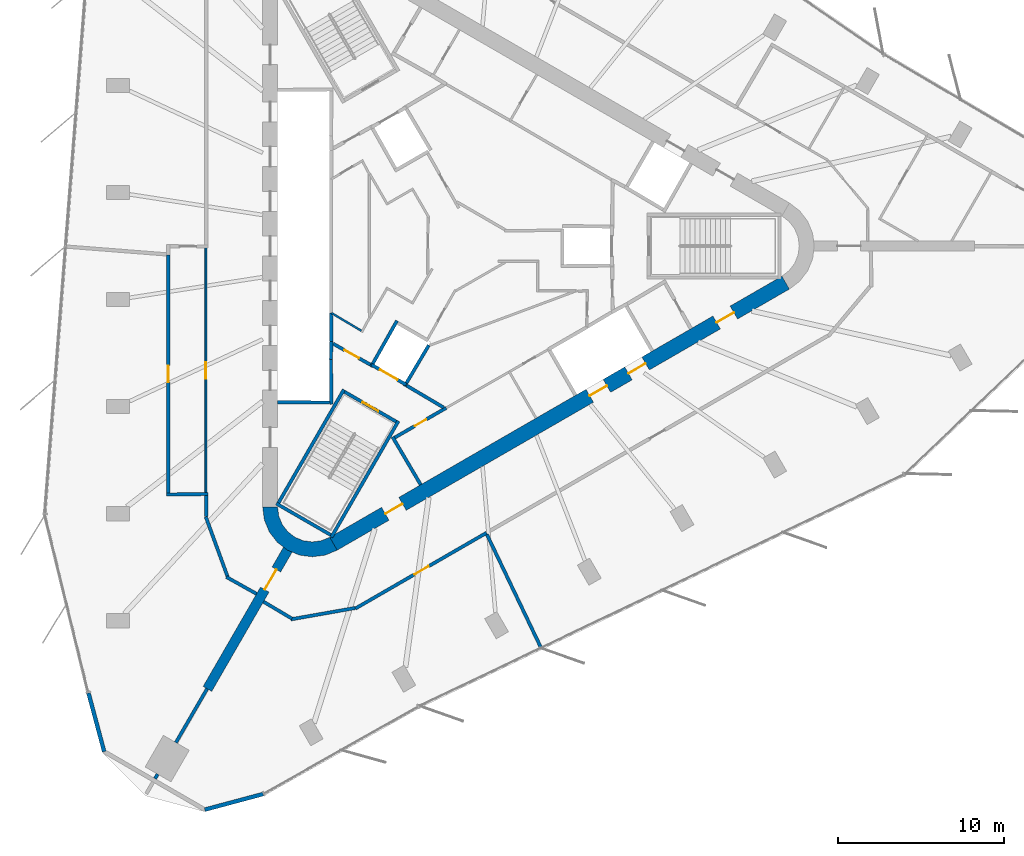
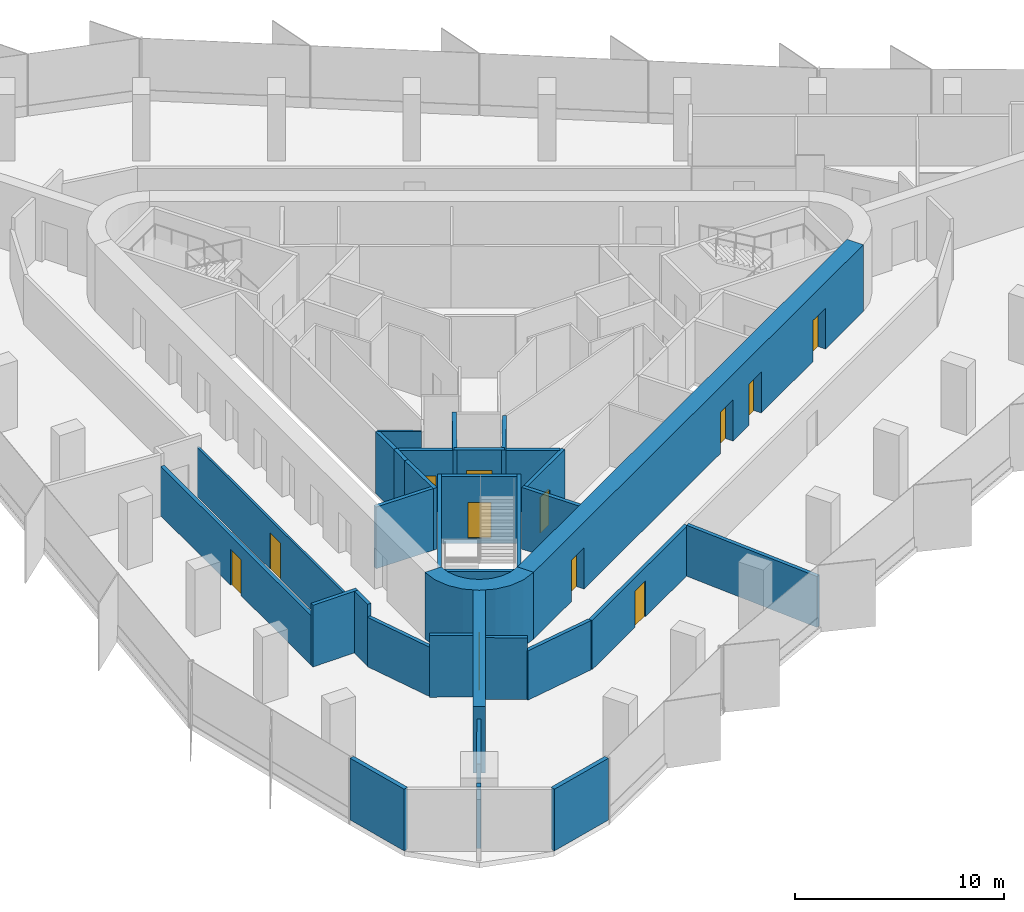
# One storey, part 8 of 14: 33 walls, 12 doors, 12 openings.
"""IFC4 building model written with IfcOpenShell, lengths in metres."""

from ifc_helpers import new_model, si_unit, direction, frame, frame_2d, origin, place, context, subcontext, project, spatial, polyline, rectangle, outline, extrude, material, layer, layer_set, type_object, element, fill, save


model = new_model("IFC4")

# Units and contexts
model_context = context("Model", 3, precision=1e-05, world=origin(), true_north=direction((0.0, 1.0)))
body_context = subcontext(model_context, "Body", "Model", "MODEL_VIEW")
ifc_project = project(units=[si_unit("LENGTHUNIT", "METRE"), si_unit("AREAUNIT", "SQUARE_METRE"), si_unit("VOLUMEUNIT", "CUBIC_METRE"), si_unit("PLANEANGLEUNIT", "RADIAN"), si_unit("MASSUNIT", "GRAM", prefix="KILO")], contexts=[model_context])

# Site, building, storey
site_placement = place(None, origin())
site = spatial("IfcSite", under=ifc_project, at=site_placement, CompositionType="ELEMENT")
building_placement = place(site_placement, origin())
building = spatial("IfcBuilding", under=site, at=building_placement, Name="Tanit Gate Tower", CompositionType="ELEMENT")
storey_placement = place(building_placement, frame((0.0, 0.0, 302.60009765625)))
storey = spatial("IfcBuildingStorey", under=building, at=storey_placement, Name="L67", CompositionType="ELEMENT", Elevation=302.60009765625)

# Wall, opening, door
ifc_material_1 = material(Name="Concrete C40/50", Category="concrete")
ifc_layer_1 = layer(ifc_material_1, 0.60009765625)
ifc_layer_set_1 = layer_set([ifc_layer_1], Name="BUTTRESS FIN 600 C40/50")
wall_type_1 = type_object("IfcWallType", Name="BUTTRESS FIN 600 C40/50", PredefinedType="SHEAR", material=ifc_layer_set_1)
wall_1_placement = place(storey_placement, frame((-10.574951171875, -18.31640625, 0.0), z_axis=(0.0, 0.0, 1.0), x_axis=(-0.499999297704, -0.866025809255, 0.0)))
wall_1 = element("IfcWall", 1, at=wall_1_placement, inside=storey, type_object=wall_type_1, Name="BUTTRESS FIN", PredefinedType="SHEAR", context=body_context, shape_type="SweptSolid", body=[
    extrude(rectangle(XDim=9.72021484375, YDim=0.60009765625, at=frame_2d((4.860107421875, 0.0))), origin(), (0.0, 0.0, 1.0), 3.89990234375),
])
opening_1_placement = place(wall_1_placement, frame((1.39990234375, 0.0, 0.0)))
opening_1 = element("IfcOpeningElement", 2, at=opening_1_placement, cuts=wall_1, Name="Opening P14-S18-F-SW-1", PredefinedType="OPENING", context=body_context, shape_type="SweptSolid", body=[
    extrude(rectangle(XDim=1.39990234375, YDim=2.39990234375, at=frame_2d((0.699951171875, 1.199951171875))), frame((0.0, 0.31005859375, 0.0), z_axis=(0.0, -1.0, 0.0), x_axis=(1.0, 0.0, 0.0)), (0.0, 0.0, 1.0), 0.6201171875),
])
ifc_material_2 = material(Name="Timber door leaf", Category="wood")
door_type_1 = type_object("IfcDoorType", Name="INT-DOOR-FIN-PAIR-1400", OperationType="NOTDEFINED", PredefinedType="NOTDEFINED", material=ifc_material_2)
door_1_placement = place(opening_1_placement, origin())
door_1 = element("IfcDoor", 3, at=door_1_placement, inside=storey, type_object=door_type_1, Name="Door P14-S18-F-SW-1", OperationType="DOUBLE_DOOR_SINGLE_SWING", OverallHeight=2.39990234375, OverallWidth=1.39990234375, PredefinedType="NOTDEFINED", context=body_context, shape_type="SweptSolid", body=[
    extrude(rectangle(XDim=1.39990234375, YDim=2.39990234375, at=frame_2d((0.699951171875, 1.199951171875))), frame((0.0, 0.02490234375, 0.0), z_axis=(0.0, -1.0, 0.0), x_axis=(1.0, 0.0, 0.0)), (0.0, 0.0, 1.0), 0.050048828125),
])
fill(opening_1, door_1)

# Wall, openings, doors
ifc_material_3 = material(Name="Concrete C40/50", Category="concrete")
ifc_layer_2 = layer(ifc_material_3, 0.89990234375)
ifc_layer_set_2 = layer_set([ifc_layer_2], Name="CORE WALL 900 C40/50")
wall_type_2 = type_object("IfcWallType", Name="CORE WALL 900 C40/50", PredefinedType="SHEAR", material=ifc_layer_set_2)
wall_2_placement = place(storey_placement, frame((-7.824951171875, -17.969970703125, 0.0), z_axis=(0.0, 0.0, 1.0), x_axis=(0.866028369851, 0.499994862586, 0.0)))
wall_2 = element("IfcWall", 4, at=wall_2_placement, inside=storey, type_object=wall_type_2, Name="CORE WALL", PredefinedType="SHEAR", context=body_context, shape_type="SweptSolid", body=[
    extrude(rectangle(XDim=31.523193359375, YDim=0.89990234375, at=frame_2d((15.76171875, 0.0))), origin(), (0.0, 0.0, 1.0), 3.89990234375),
])
opening_2_placement = place(wall_2_placement, frame((17.861572265625, 0.0, 0.0)))
opening_2 = element("IfcOpeningElement", 5, at=opening_2_placement, cuts=wall_2, Name="Opening LDSV1-S18", PredefinedType="OPENING", context=body_context, shape_type="SweptSolid", body=[
    extrude(rectangle(XDim=1.199951171875, YDim=2.39990234375, at=frame_2d((0.60009765625, 1.199951171875))), frame((0.0, 0.4599609375, 0.0), z_axis=(0.0, -1.0, 0.0), x_axis=(1.0, 0.0, 0.0)), (0.0, 0.0, 1.0), 0.919921875),
])
opening_3_placement = place(wall_2_placement, frame((20.561767578125, 0.0, 0.0)))
opening_3 = element("IfcOpeningElement", 6, at=opening_3_placement, cuts=wall_2, Name="Opening LDSV2-S18", PredefinedType="OPENING", context=body_context, shape_type="SweptSolid", body=[
    extrude(rectangle(XDim=1.199951171875, YDim=2.39990234375, at=frame_2d((0.60009765625, 1.199951171875))), frame((0.0, 0.4599609375, 0.0), z_axis=(0.0, -1.0, 0.0), x_axis=(1.0, 0.0, 0.0)), (0.0, 0.0, 1.0), 0.919921875),
])
opening_4_placement = place(wall_2_placement, frame((26.711669921875, 0.0, 0.0)))
opening_4 = element("IfcOpeningElement", 7, at=opening_4_placement, cuts=wall_2, Name="Opening F12-S18-S1", PredefinedType="OPENING", context=body_context, shape_type="SweptSolid", body=[
    extrude(rectangle(XDim=1.199951171875, YDim=2.39990234375, at=frame_2d((0.60009765625, 1.199951171875))), frame((0.0, 0.4599609375, 0.0), z_axis=(0.0, -1.0, 0.0), x_axis=(1.0, 0.0, 0.0)), (0.0, 0.0, 1.0), 0.919921875),
])
opening_5_placement = place(wall_2_placement, frame((3.611572265625, 0.0, 0.0)))
opening_5 = element("IfcOpeningElement", 8, at=opening_5_placement, cuts=wall_2, Name="Opening F12-S18-FL3", PredefinedType="OPENING", context=body_context, shape_type="SweptSolid", body=[
    extrude(rectangle(XDim=1.199951171875, YDim=2.39990234375, at=frame_2d((0.60009765625, 1.199951171875))), frame((0.0, 0.4599609375, 0.0), z_axis=(0.0, -1.0, 0.0), x_axis=(1.0, 0.0, 0.0)), (0.0, 0.0, 1.0), 0.919921875),
])
ifc_material_4 = material(Name="Fire-rated steel door leaf", Category="steel")
door_type_2 = type_object("IfcDoorType", Name="INT-DOOR-FIRE-LOBBY-1200", OperationType="NOTDEFINED", PredefinedType="USERDEFINED", material=ifc_material_4)
door_2_placement = place(opening_4_placement, origin())
door_2 = element("IfcDoor", 9, at=door_2_placement, inside=storey, type_object=door_type_2, Name="Door F12-S18-S1", ObjectType="FIRE DOOR", OperationType="SINGLE_SWING_LEFT", OverallHeight=2.39990234375, OverallWidth=1.199951171875, PredefinedType="USERDEFINED", context=body_context, shape_type="SweptSolid", body=[
    extrude(rectangle(XDim=1.199951171875, YDim=2.39990234375, at=frame_2d((0.60009765625, 1.199951171875))), frame((0.0, 0.02490234375, 0.0), z_axis=(0.0, -1.0, 0.0), x_axis=(1.0, 0.0, 0.0)), (0.0, 0.0, 1.0), 0.050048828125),
])
fill(opening_4, door_2)
door_3_placement = place(opening_5_placement, origin())
door_3 = element("IfcDoor", 10, at=door_3_placement, inside=storey, type_object=door_type_2, Name="Door F12-S18-FL3", ObjectType="FIRE DOOR", OperationType="SINGLE_SWING_LEFT", OverallHeight=2.39990234375, OverallWidth=1.199951171875, PredefinedType="USERDEFINED", context=body_context, shape_type="SweptSolid", body=[
    extrude(rectangle(XDim=1.199951171875, YDim=2.39990234375, at=frame_2d((0.60009765625, 1.199951171875))), frame((0.0, 0.02490234375, 0.0), z_axis=(0.0, -1.0, 0.0), x_axis=(1.0, 0.0, 0.0)), (0.0, 0.0, 1.0), 0.050048828125),
])
fill(opening_5, door_3)
ifc_material_5 = material(Name="Stainless steel sliding door leaf", Category="steel")
door_type_3 = type_object("IfcDoorType", Name="INT-DOOR-LANDING-1200", OperationType="NOTDEFINED", PredefinedType="USERDEFINED", material=ifc_material_5)
door_4_placement = place(opening_2_placement, origin())
door_4 = element("IfcDoor", 11, at=door_4_placement, inside=storey, type_object=door_type_3, Name="Door LDSV1-S18", ObjectType="LANDING DOOR", OperationType="SLIDING_TO_LEFT", OverallHeight=2.39990234375, OverallWidth=1.199951171875, PredefinedType="USERDEFINED", context=body_context, shape_type="SweptSolid", body=[
    extrude(rectangle(XDim=1.199951171875, YDim=2.39990234375, at=frame_2d((0.60009765625, 1.199951171875))), frame((0.0, 0.02490234375, 0.0), z_axis=(0.0, -1.0, 0.0), x_axis=(1.0, 0.0, 0.0)), (0.0, 0.0, 1.0), 0.050048828125),
])
fill(opening_2, door_4)
door_5_placement = place(opening_3_placement, origin())
door_5 = element("IfcDoor", 12, at=door_5_placement, inside=storey, type_object=door_type_3, Name="Door LDSV2-S18", ObjectType="LANDING DOOR", OperationType="SLIDING_TO_LEFT", OverallHeight=2.39990234375, OverallWidth=1.199951171875, PredefinedType="USERDEFINED", context=body_context, shape_type="SweptSolid", body=[
    extrude(rectangle(XDim=1.199951171875, YDim=2.39990234375, at=frame_2d((0.60009765625, 1.199951171875))), frame((0.0, 0.02490234375, 0.0), z_axis=(0.0, -1.0, 0.0), x_axis=(1.0, 0.0, 0.0)), (0.0, 0.0, 1.0), 0.050048828125),
])
fill(opening_3, door_5)

# Walls
wall_3_placement = place(storey_placement, origin())
element("IfcWall", 13, at=wall_3_placement, inside=storey, type_object=wall_type_2, Name="CORE WALL CORNER", PredefinedType="SHEAR", context=body_context, shape_type="SweptSolid", body=[
    extrude(outline(polyline([(-12.10009765625, -15.76171875), (-11.997802734375, -16.5380859375), (-11.697998046875, -17.26171875), (-11.22119140625, -17.883056640625), (-10.60009765625, -18.359619140625), (-9.87646484375, -18.659423828125), (-9.10009765625, -18.76171875), (-8.323486328125, -18.659423828125), (-7.60009765625, -18.359619140625), (-8.050048828125, -17.580322265625), (-8.556396484375, -17.7900390625), (-9.10009765625, -17.86181640625), (-9.6435546875, -17.7900390625), (-10.14990234375, -17.580322265625), (-10.5849609375, -17.24658203125), (-10.918701171875, -16.811767578125), (-11.12841796875, -16.30517578125), (-11.199951171875, -15.76171875), (-12.10009765625, -15.76171875)])), origin(), (0.0, 0.0, 1.0), 3.89990234375),
])
ifc_material_6 = material(Name="Concrete C30/37 with bronze anodised aluminium cladding", Category="concrete")
ifc_layer_3 = layer(ifc_material_6, 0.239990234375)
ifc_layer_set_3 = layer_set([ifc_layer_3], Name="Facade wall bronze clad 240")
wall_type_3 = type_object("IfcWallType", Name="Facade wall bronze clad 240", PredefinedType="SOLIDWALL", material=ifc_layer_set_3)
wall_4_placement = place(storey_placement, frame((-22.619140625, -26.98193359375, 0.0), z_axis=(0.0, 0.0, 1.0), x_axis=(0.258766072242, -0.965940018768, 0.0)))
element("IfcWall", 14, at=wall_4_placement, inside=storey, type_object=wall_type_3, Name="Bronze-clad facade wall L67 SW.arc1", PredefinedType="SOLIDWALL", context=body_context, shape_type="SweptSolid", body=[
    extrude(rectangle(XDim=3.66259765625, YDim=0.239990234375, at=frame_2d((1.831298828125, 0.0))), origin(), (0.0, 0.0, 1.0), 3.599853515625),
])
wall_5_placement = place(storey_placement, frame((-15.59521484375, -34.02783203125, 0.0), z_axis=(0.0, 0.0, 1.0), x_axis=(0.965927742293, 0.258811894374, 0.0)))
element("IfcWall", 15, at=wall_5_placement, inside=storey, type_object=wall_type_3, Name="Bronze-clad facade wall L67 SW.arc3", PredefinedType="SOLIDWALL", context=body_context, shape_type="SweptSolid", body=[
    extrude(rectangle(XDim=3.648681640625, YDim=0.239990234375, at=frame_2d((1.82421875, 0.0))), origin(), (0.0, 0.0, 1.0), 3.599853515625),
])
ifc_material_7 = material(Name="Fire-rated gypsum board partition")
ifc_layer_4 = layer(ifc_material_7, 0.199951171875)
ifc_layer_set_4 = layer_set([ifc_layer_4], Name="INT-WALL-COMPARTMENT")
wall_type_4 = type_object("IfcWallType", Name="INT-WALL-COMPARTMENT", PredefinedType="PARTITIONING", material=ifc_layer_set_4)
wall_6_placement = place(storey_placement, frame((-4.259765625, -11.523681640625, 0.0), z_axis=(0.0, 0.0, 1.0), x_axis=(0.507997497166, -0.861358544901, 0.0)))
element("IfcWall", 16, at=wall_6_placement, inside=storey, type_object=wall_type_4, Name="Wall Compartment W053", PredefinedType="PARTITIONING", context=body_context, shape_type="SweptSolid", body=[
    extrude(rectangle(XDim=3.350341796875, YDim=0.199951171875, at=frame_2d((1.67529296875, 0.0))), origin(), (0.0, 0.0, 1.0), 3.599853515625),
])

# Wall, opening, door
wall_7_placement = place(storey_placement, frame((-1.02392578125, -9.77099609375, 0.0), z_axis=(0.0, 0.0, 1.0), x_axis=(-0.866029903013, -0.499992207027, 0.0)))
wall_7 = element("IfcWall", 17, at=wall_7_placement, inside=storey, type_object=wall_type_4, Name="Wall Compartment W054", PredefinedType="PARTITIONING", context=body_context, shape_type="SweptSolid", body=[
    extrude(rectangle(XDim=3.57763671875, YDim=0.199951171875, at=frame_2d((1.788818359375, 0.0))), origin(), (0.0, 0.0, 1.0), 3.599853515625),
])
opening_6_placement = place(wall_7_placement, frame((1.388916015625, 0.0, 0.0)))
opening_6 = element("IfcOpeningElement", 18, at=opening_6_placement, cuts=wall_7, Name="Opening R08-S18-18", PredefinedType="OPENING", context=body_context, shape_type="SweptSolid", body=[
    extrude(rectangle(XDim=0.800048828125, YDim=2.10009765625, at=frame_2d((0.39990234375, 1.050048828125))), frame((0.0, 0.10986328125, 0.0), z_axis=(0.0, -1.0, 0.0), x_axis=(1.0, 0.0, 0.0)), (0.0, 0.0, 1.0), 0.219970703125),
])
ifc_material_8 = material(Name="Timber door leaf", Category="wood")
door_type_4 = type_object("IfcDoorType", Name="INT-DOOR-RISER-800", OperationType="NOTDEFINED", PredefinedType="USERDEFINED", material=ifc_material_8)
door_6_placement = place(opening_6_placement, origin())
door_6 = element("IfcDoor", 19, at=door_6_placement, inside=storey, type_object=door_type_4, Name="Door R08-S18-18", ObjectType="FIRE DOOR", OperationType="SINGLE_SWING_LEFT", OverallHeight=2.10009765625, OverallWidth=0.800048828125, PredefinedType="USERDEFINED", context=body_context, shape_type="SweptSolid", body=[
    extrude(rectangle(XDim=0.800048828125, YDim=2.10009765625, at=frame_2d((0.39990234375, 1.050048828125))), frame((0.0, 0.02490234375, 0.0), z_axis=(0.0, -1.0, 0.0), x_axis=(1.0, 0.0, 0.0)), (0.0, 0.0, 1.0), 0.050048828125),
])
fill(opening_6, door_6)

# Wall
wall_8_placement = place(storey_placement, frame((-3.400634765625, -8.43017578125, 0.0), z_axis=(0.0, 0.0, 1.0), x_axis=(0.860630814782, -0.509229418482, 0.0)))
element("IfcWall", 20, at=wall_8_placement, inside=storey, type_object=wall_type_4, Name="Wall Compartment W063", PredefinedType="PARTITIONING", context=body_context, shape_type="SweptSolid", body=[
    extrude(rectangle(XDim=2.581787109375, YDim=0.199951171875, at=frame_2d((1.291015625, 0.0))), origin(), (0.0, 0.0, 1.0), 3.599853515625),
])

# Wall, opening, door
wall_9_placement = place(storey_placement, frame((-7.849365234375, -5.893798828125, 0.0), z_axis=(0.0, 0.0, 1.0), x_axis=(0.871363259478, -0.490638431059, 0.0)))
wall_9 = element("IfcWall", 21, at=wall_9_placement, inside=storey, type_object=wall_type_4, Name="Wall Compartment W064", PredefinedType="PARTITIONING", context=body_context, shape_type="SweptSolid", body=[
    extrude(rectangle(XDim=2.5810546875, YDim=0.199951171875, at=frame_2d((1.29052734375, 0.0))), origin(), (0.0, 0.0, 1.0), 3.599853515625),
])
opening_7_placement = place(wall_9_placement, frame((0.79052734375, 0.0, 0.0)))
opening_7 = element("IfcOpeningElement", 22, at=opening_7_placement, cuts=wall_9, Name="Opening F10-S18-08", PredefinedType="OPENING", context=body_context, shape_type="SweptSolid", body=[
    extrude(rectangle(XDim=1.0, YDim=2.10009765625, at=frame_2d((0.5, 1.050048828125))), frame((0.0, 0.10986328125, 0.0), z_axis=(0.0, -1.0, 0.0), x_axis=(1.0, 0.0, 0.0)), (0.0, 0.0, 1.0), 0.219970703125),
])
ifc_material_9 = material(Name="Fire-rated steel door leaf", Category="steel")
door_type_5 = type_object("IfcDoorType", Name="INT-DOOR-FIRE-1000", OperationType="NOTDEFINED", PredefinedType="USERDEFINED", material=ifc_material_9)
door_7_placement = place(opening_7_placement, origin())
door_7 = element("IfcDoor", 23, at=door_7_placement, inside=storey, type_object=door_type_5, Name="Door F10-S18-08", ObjectType="FIRE DOOR", OperationType="SINGLE_SWING_LEFT", OverallHeight=2.10009765625, OverallWidth=1.0, PredefinedType="USERDEFINED", context=body_context, shape_type="SweptSolid", body=[
    extrude(rectangle(XDim=1.0, YDim=2.10009765625, at=frame_2d((0.5, 1.050048828125))), frame((0.0, 0.02490234375, 0.0), z_axis=(0.0, -1.0, 0.0), x_axis=(1.0, 0.0, 0.0)), (0.0, 0.0, 1.0), 0.050048828125),
])
fill(opening_7, door_7)

# Wall
wall_10_placement = place(storey_placement, frame((-17.89990234375, -15.001220703125, 0.0), z_axis=(0.0, 0.0, 1.0), x_axis=(0.999915662945, 0.012987185857, 0.0)))
element("IfcWall", 24, at=wall_10_placement, inside=storey, type_object=wall_type_4, Name="Wall Compartment W089", PredefinedType="PARTITIONING", context=body_context, shape_type="SweptSolid", body=[
    extrude(rectangle(XDim=2.500244140625, YDim=0.199951171875, at=frame_2d((1.25, 0.0))), origin(), (0.0, 0.0, 1.0), 3.599853515625),
])

# Wall, opening, door
wall_11_placement = place(storey_placement, frame((-17.800048828125, -0.534912109375, 0.0), z_axis=(0.0, 0.0, 1.0), x_axis=(0.0, -1.0, 0.0)))
wall_11 = element("IfcWall", 25, at=wall_11_placement, inside=storey, type_object=wall_type_4, Name="Wall Compartment W090", PredefinedType="PARTITIONING", context=body_context, shape_type="SweptSolid", body=[
    extrude(rectangle(XDim=14.364990234375, YDim=0.199951171875, at=frame_2d((7.1826171875, 0.0))), origin(), (0.0, 0.0, 1.0), 2.8798828125),
])
opening_8_placement = place(wall_11_placement, frame((6.6826171875, 0.0, 0.0)))
opening_8 = element("IfcOpeningElement", 26, at=opening_8_placement, cuts=wall_11, Name="Opening F10-S18-26", PredefinedType="OPENING", context=body_context, shape_type="SweptSolid", body=[
    extrude(rectangle(XDim=1.0, YDim=2.10009765625, at=frame_2d((0.5, 1.050048828125))), frame((0.0, 0.10986328125, 0.0), z_axis=(0.0, -1.0, 0.0), x_axis=(1.0, 0.0, 0.0)), (0.0, 0.0, 1.0), 0.219970703125),
])
door_8_placement = place(opening_8_placement, origin())
door_8 = element("IfcDoor", 27, at=door_8_placement, inside=storey, type_object=door_type_5, Name="Door F10-S18-26", ObjectType="FIRE DOOR", OperationType="SINGLE_SWING_RIGHT", OverallHeight=2.10009765625, OverallWidth=1.0, PredefinedType="USERDEFINED", context=body_context, shape_type="SweptSolid", body=[
    extrude(rectangle(XDim=1.0, YDim=2.10009765625, at=frame_2d((0.5, 1.050048828125))), frame((0.0, 0.02490234375, 0.0), z_axis=(0.0, -1.0, 0.0), x_axis=(1.0, 0.0, 0.0)), (0.0, 0.0, 1.0), 0.050048828125),
])
fill(opening_8, door_8)

# Walls
wall_12_placement = place(storey_placement, frame((-14.293212890625, -19.9775390625, 0.0), z_axis=(0.0, 0.0, 1.0), x_axis=(0.872510000486, -0.48859625362, 0.0)))
element("IfcWall", 28, at=wall_12_placement, inside=storey, type_object=wall_type_4, Name="Wall Compartment W093", PredefinedType="PARTITIONING", context=body_context, shape_type="SweptSolid", body=[
    extrude(rectangle(XDim=2.089599609375, YDim=0.199951171875, at=frame_2d((1.044921875, 0.0))), origin(), (0.0, 0.0, 1.0), 3.599853515625),
])
wall_13_placement = place(storey_placement, frame((-15.5341796875, -16.346435546875, 0.0), z_axis=(0.0, 0.0, 1.0), x_axis=(0.342001008711, -0.939699584996, 0.0)))
element("IfcWall", 29, at=wall_13_placement, inside=storey, type_object=wall_type_4, Name="Wall Compartment W094", PredefinedType="PARTITIONING", context=body_context, shape_type="SweptSolid", body=[
    extrude(rectangle(XDim=3.87548828125, YDim=0.199951171875, at=frame_2d((1.937744140625, 0.0))), origin(), (0.0, 0.0, 1.0), 2.8798828125),
])
wall_14_placement = place(storey_placement, frame((-15.5, -15.070068359375, 0.0), z_axis=(0.0, 0.0, 1.0), x_axis=(0.0, -1.0, 0.0)))
element("IfcWall", 30, at=wall_14_placement, inside=storey, type_object=wall_type_4, Name="Wall Compartment W095", PredefinedType="PARTITIONING", context=body_context, shape_type="SweptSolid", body=[
    extrude(rectangle(XDim=1.2705078125, YDim=0.199951171875, at=frame_2d((0.63525390625, 0.0))), origin(), (0.0, 0.0, 1.0), 3.599853515625),
])

# Wall, opening, door
wall_15_placement = place(storey_placement, frame((-6.505126953125, -21.884521484375, 0.0), z_axis=(0.0, 0.0, 1.0), x_axis=(0.866029997737, 0.499992042957, 0.0)))
wall_15 = element("IfcWall", 31, at=wall_15_placement, inside=storey, type_object=wall_type_4, Name="Wall Compartment W109", PredefinedType="PARTITIONING", context=body_context, shape_type="SweptSolid", body=[
    extrude(rectangle(XDim=9.145751953125, YDim=0.199951171875, at=frame_2d((4.57275390625, 0.0))), origin(), (0.0, 0.0, 1.0), 2.8798828125),
])
opening_9_placement = place(wall_15_placement, frame((4.11083984375, 0.0, 0.0)))
opening_9 = element("IfcOpeningElement", 32, at=opening_9_placement, cuts=wall_15, Name="Opening F10-S18-30", PredefinedType="OPENING", context=body_context, shape_type="SweptSolid", body=[
    extrude(rectangle(XDim=1.0, YDim=2.10009765625, at=frame_2d((0.5, 1.050048828125))), frame((0.0, 0.10986328125, 0.0), z_axis=(0.0, -1.0, 0.0), x_axis=(1.0, 0.0, 0.0)), (0.0, 0.0, 1.0), 0.219970703125),
])
door_9_placement = place(opening_9_placement, origin())
door_9 = element("IfcDoor", 33, at=door_9_placement, inside=storey, type_object=door_type_5, Name="Door F10-S18-30", ObjectType="FIRE DOOR", OperationType="SINGLE_SWING_LEFT", OverallHeight=2.10009765625, OverallWidth=1.0, PredefinedType="USERDEFINED", context=body_context, shape_type="SweptSolid", body=[
    extrude(rectangle(XDim=1.0, YDim=2.10009765625, at=frame_2d((0.5, 1.050048828125))), frame((0.0, 0.02490234375, 0.0), z_axis=(0.0, -1.0, 0.0), x_axis=(1.0, 0.0, 0.0)), (0.0, 0.0, 1.0), 0.050048828125),
])
fill(opening_9, door_9)

# Walls
wall_16_placement = place(storey_placement, frame((-10.405517578125, -22.53759765625, 0.0), z_axis=(0.0, 0.0, 1.0), x_axis=(0.98480284819, 0.173675991999, 0.0)))
element("IfcWall", 34, at=wall_16_placement, inside=storey, type_object=wall_type_4, Name="Wall Compartment W110", PredefinedType="PARTITIONING", context=body_context, shape_type="SweptSolid", body=[
    extrude(rectangle(XDim=3.94873046875, YDim=0.199951171875, at=frame_2d((1.974365234375, 0.0))), origin(), (0.0, 0.0, 1.0), 2.8798828125),
])
wall_17_placement = place(storey_placement, frame((-12.05029296875, -21.4716796875, 0.0), z_axis=(0.0, 0.0, 1.0), x_axis=(0.859577966481, -0.511004617924, 0.0)))
element("IfcWall", 35, at=wall_17_placement, inside=storey, type_object=wall_type_4, Name="Wall Compartment W111", PredefinedType="PARTITIONING", context=body_context, shape_type="SweptSolid", body=[
    extrude(rectangle(XDim=1.99755859375, YDim=0.199951171875, at=frame_2d((0.998779296875, 0.0))), origin(), (0.0, 0.0, 1.0), 3.599853515625),
])
wall_18_placement = place(storey_placement, frame((-18.599365234375, -32.15478515625, 0.0), z_axis=(0.0, 0.0, 1.0), x_axis=(0.500213193091, 0.865902281703, 0.0)))
element("IfcWall", 36, at=wall_18_placement, inside=storey, type_object=wall_type_4, Name="Wall Compartment W113x1", PredefinedType="PARTITIONING", context=body_context, shape_type="SweptSolid", body=[
    extrude(rectangle(XDim=0.315673828125, YDim=0.199951171875, at=frame_2d((0.15771484375, 0.0))), origin(), (0.0, 0.0, 1.0), 3.599853515625),
])
wall_19_placement = place(storey_placement, frame((-17.34130859375, -29.97607421875, 0.0), z_axis=(0.0, 0.0, 1.0), x_axis=(0.50255049681, 0.864547857644, 0.0)))
element("IfcWall", 37, at=wall_19_placement, inside=storey, type_object=wall_type_4, Name="Wall Compartment W114", PredefinedType="PARTITIONING", context=body_context, shape_type="SweptSolid", body=[
    extrude(rectangle(XDim=3.760498046875, YDim=0.199951171875, at=frame_2d((1.88037109375, 0.0))), origin(), (0.0, 0.0, 1.0), 3.169921875),
])
wall_20_placement = place(storey_placement, frame((1.437744140625, -17.4140625, 0.0), z_axis=(0.0, 0.0, 1.0), x_axis=(0.431072758101, -0.902317171079, 0.0)))
element("IfcWall", 38, at=wall_20_placement, inside=storey, type_object=wall_type_4, Name="Wall Compartment W124", PredefinedType="PARTITIONING", context=body_context, shape_type="SweptSolid", body=[
    extrude(rectangle(XDim=7.584716796875, YDim=0.199951171875, at=frame_2d((3.79248046875, 0.0))), origin(), (0.0, 0.0, 1.0), 2.969970703125),
])
ifc_material_10 = material(Name="Gypsum board partition")
ifc_layer_5 = layer(ifc_material_10, 0.1201171875)
ifc_layer_set_5 = layer_set([ifc_layer_5], Name="INT-WALL-PARTITION")
wall_type_5 = type_object("IfcWallType", Name="INT-WALL-PARTITION", PredefinedType="PARTITIONING", material=ifc_layer_set_5)
wall_21_placement = place(storey_placement, frame((-7.949951171875, -4.041015625, 0.0), z_axis=(0.0, 0.0, 1.0), x_axis=(0.860112457103, -0.510104461004, 0.0)))
element("IfcWall", 39, at=wall_21_placement, inside=storey, type_object=wall_type_5, Name="Wall Partition W078", PredefinedType="PARTITIONING", context=body_context, shape_type="SweptSolid", body=[
    extrude(rectangle(XDim=2.1044921875, YDim=0.1201171875, at=frame_2d((1.05224609375, 0.0))), origin(), (0.0, 0.0, 1.0), 3.599853515625),
])

# Wall, opening, door
wall_22_placement = place(storey_placement, frame((-15.530029296875, 0.0, 0.0), z_axis=(0.0, 0.0, 1.0), x_axis=(0.0, -1.0, 0.0)))
wall_22 = element("IfcWall", 40, at=wall_22_placement, inside=storey, type_object=wall_type_5, Name="Wall Partition W088", PredefinedType="PARTITIONING", context=body_context, shape_type="SweptSolid", body=[
    extrude(rectangle(XDim=15.0, YDim=0.1201171875, at=frame_2d((7.5, 0.0))), origin(), (0.0, 0.0, 1.0), 2.8798828125),
])
opening_10_placement = place(wall_22_placement, frame((7.0, 0.0, 0.0)))
opening_10 = element("IfcOpeningElement", 41, at=opening_10_placement, cuts=wall_22, Name="Opening D10-S18-21", PredefinedType="OPENING", context=body_context, shape_type="SweptSolid", body=[
    extrude(rectangle(XDim=1.0, YDim=2.10009765625, at=frame_2d((0.5, 1.050048828125))), frame((0.0, 0.070068359375, 0.0), z_axis=(0.0, -1.0, 0.0), x_axis=(1.0, 0.0, 0.0)), (0.0, 0.0, 1.0), 0.14013671875),
])
ifc_material_11 = material(Name="Timber door leaf", Category="wood")
door_type_6 = type_object("IfcDoorType", Name="INT-DOOR-SINGLE-1000", OperationType="NOTDEFINED", PredefinedType="NOTDEFINED", material=ifc_material_11)
door_10_placement = place(opening_10_placement, origin())
door_10 = element("IfcDoor", 42, at=door_10_placement, inside=storey, type_object=door_type_6, Name="Door D10-S18-21", OperationType="SINGLE_SWING_LEFT", OverallHeight=2.10009765625, OverallWidth=1.0, PredefinedType="NOTDEFINED", context=body_context, shape_type="SweptSolid", body=[
    extrude(rectangle(XDim=1.0, YDim=2.10009765625, at=frame_2d((0.5, 1.050048828125))), frame((0.0, 0.02490234375, 0.0), z_axis=(0.0, -1.0, 0.0), x_axis=(1.0, 0.0, 0.0)), (0.0, 0.0, 1.0), 0.050048828125),
])
fill(opening_10, door_10)

# Walls
ifc_material_12 = material(Name="Gypsum shaft wall system")
ifc_layer_6 = layer(ifc_material_12, 0.199951171875)
ifc_layer_set_6 = layer_set([ifc_layer_6], Name="INT-WALL-SHAFT")
wall_type_6 = type_object("IfcWallType", Name="INT-WALL-SHAFT", PredefinedType="PLUMBINGWALL", material=ifc_layer_set_6)
wall_23_placement = place(storey_placement, frame((-7.949951171875, -5.7724609375, 0.0), z_axis=(0.0, 0.0, 1.0), x_axis=(-0.030803413295, -0.999525462272, 0.0)))
element("IfcWall", 43, at=wall_23_placement, inside=storey, type_object=wall_type_6, Name="Wall Shaft W008", PredefinedType="PLUMBINGWALL", context=body_context, shape_type="SweptSolid", body=[
    extrude(rectangle(XDim=1.077880859375, YDim=0.199951171875, at=frame_2d((0.5390625, 0.0))), origin(), (0.0, 0.0, 1.0), 3.599853515625),
])
wall_24_placement = place(storey_placement, frame((-7.971435546875, -4.050048828125, 0.0), z_axis=(0.0, 0.0, 1.0), x_axis=(0.012042535896, -0.999927486035, 0.0)))
element("IfcWall", 44, at=wall_24_placement, inside=storey, type_object=wall_type_6, Name="Wall Shaft W009", PredefinedType="PLUMBINGWALL", context=body_context, shape_type="SweptSolid", body=[
    extrude(rectangle(XDim=1.844970703125, YDim=0.199951171875, at=frame_2d((0.92236328125, 0.0))), origin(), (0.0, 0.0, 1.0), 3.599853515625),
])
wall_25_placement = place(storey_placement, frame((-7.97900390625, -6.85009765625, 0.0), z_axis=(0.0, 0.0, 1.0), x_axis=(0.011121475088, -0.999938154483, 0.0)))
element("IfcWall", 45, at=wall_25_placement, inside=storey, type_object=wall_type_6, Name="Wall Shaft W010", PredefinedType="PLUMBINGWALL", context=body_context, shape_type="SweptSolid", body=[
    extrude(rectangle(XDim=2.7001953125, YDim=0.199951171875, at=frame_2d((1.35009765625, 0.0))), origin(), (0.0, 0.0, 1.0), 3.599853515625),
])
wall_26_placement = place(storey_placement, frame((-8.050048828125, -9.448974609375, 0.0), z_axis=(0.0, 0.0, 1.0), x_axis=(-0.999957467379, 0.009222983926, 0.0)))
element("IfcWall", 46, at=wall_26_placement, inside=storey, type_object=wall_type_6, Name="Wall Shaft W011", PredefinedType="PLUMBINGWALL", context=body_context, shape_type="SweptSolid", body=[
    extrude(rectangle(XDim=3.150146484375, YDim=0.199951171875, at=frame_2d((1.5751953125, 0.0))), origin(), (0.0, 0.0, 1.0), 3.599853515625),
])

# Wall, opening, door
wall_27_placement = place(storey_placement, frame((-3.44580078125, -8.3681640625, 0.0), z_axis=(0.0, 0.0, 1.0), x_axis=(-0.866024647952, 0.500001309137, 0.0)))
wall_27 = element("IfcWall", 47, at=wall_27_placement, inside=storey, type_object=wall_type_6, Name="Wall Shaft W040", PredefinedType="PLUMBINGWALL", context=body_context, shape_type="SweptSolid", body=[
    extrude(rectangle(XDim=2.39990234375, YDim=0.199951171875, at=frame_2d((1.199951171875, 0.0))), origin(), (0.0, 0.0, 1.0), 3.599853515625),
])
opening_11_placement = place(wall_27_placement, frame((0.60009765625, 0.0, 0.0)))
opening_11 = element("IfcOpeningElement", 48, at=opening_11_placement, cuts=wall_27, Name="Opening LDFL3-L67", PredefinedType="OPENING", context=body_context, shape_type="SweptSolid", body=[
    extrude(rectangle(XDim=1.199951171875, YDim=2.39990234375, at=frame_2d((0.60009765625, 1.199951171875))), frame((0.0, 0.10986328125, 0.0), z_axis=(0.0, -1.0, 0.0), x_axis=(1.0, 0.0, 0.0)), (0.0, 0.0, 1.0), 0.219970703125),
])
door_11_placement = place(opening_11_placement, origin())
door_11 = element("IfcDoor", 49, at=door_11_placement, inside=storey, type_object=door_type_3, Name="Door LDFL3-L67", ObjectType="LANDING DOOR", OperationType="SLIDING_TO_LEFT", OverallHeight=2.39990234375, OverallWidth=1.199951171875, PredefinedType="USERDEFINED", context=body_context, shape_type="SweptSolid", body=[
    extrude(rectangle(XDim=1.199951171875, YDim=2.39990234375, at=frame_2d((0.60009765625, 1.199951171875))), frame((0.0, 0.02490234375, 0.0), z_axis=(0.0, -1.0, 0.0), x_axis=(1.0, 0.0, 0.0)), (0.0, 0.0, 1.0), 0.050048828125),
])
fill(opening_11, door_11)

# Walls
wall_28_placement = place(storey_placement, frame((-2.070068359375, -5.985595703125, 0.0), z_axis=(0.0, 0.0, 1.0), x_axis=(-0.509302965445, -0.8605872933, 0.0)))
element("IfcWall", 50, at=wall_28_placement, inside=storey, type_object=wall_type_6, Name="Wall Shaft W041", PredefinedType="PLUMBINGWALL", context=body_context, shape_type="SweptSolid", body=[
    extrude(rectangle(XDim=2.88134765625, YDim=0.199951171875, at=frame_2d((1.440673828125, 0.0))), origin(), (0.0, 0.0, 1.0), 3.599853515625),
])
wall_29_placement = place(storey_placement, frame((-3.989990234375, -4.509033203125, 0.0), z_axis=(0.0, 0.0, 1.0), x_axis=(-0.491358283181, -0.870957540612, 0.0)))
element("IfcWall", 51, at=wall_29_placement, inside=storey, type_object=wall_type_6, Name="Wall Shaft W042", PredefinedType="PLUMBINGWALL", context=body_context, shape_type="SweptSolid", body=[
    extrude(rectangle(XDim=3.200439453125, YDim=0.199951171875, at=frame_2d((1.60009765625, 0.0))), origin(), (0.0, 0.0, 1.0), 3.599853515625),
])
ifc_material_13 = material(Name="Concrete C40/50", Category="concrete")
ifc_layer_7 = layer(ifc_material_13, 0.199951171875)
ifc_layer_set_7 = layer_set([ifc_layer_7], Name="INT-WALL-STAIR")
wall_type_7 = type_object("IfcWallType", Name="INT-WALL-STAIR", PredefinedType="SHEAR", material=ifc_layer_set_7)
wall_30_placement = place(storey_placement, frame((-3.904541015625, -10.56298828125, -0.300048828125), z_axis=(0.0, 0.0, 1.0), x_axis=(-0.500012932018, -0.866017937352, 0.0)))
element("IfcWall", 52, at=wall_30_placement, inside=storey, type_object=wall_type_7, Name="Wall Stair W036", PredefinedType="SHEAR", context=body_context, shape_type="SweptSolid", body=[
    extrude(rectangle(XDim=8.099853515625, YDim=0.199951171875, at=frame_2d((4.0498046875, 0.0))), origin(), (0.0, 0.0, 1.0), 3.89990234375),
])
wall_31_placement = place(storey_placement, frame((-11.281982421875, -15.541015625, -0.300048828125), z_axis=(0.0, 0.0, 1.0), x_axis=(0.866000483506, -0.500043160704, 0.0)))
element("IfcWall", 53, at=wall_31_placement, inside=storey, type_object=wall_type_7, Name="Wall Stair W037", PredefinedType="SHEAR", context=body_context, shape_type="SweptSolid", body=[
    extrude(rectangle(XDim=3.800048828125, YDim=0.199951171875, at=frame_2d((1.89990234375, 0.0))), origin(), (0.0, 0.0, 1.0), 3.89990234375),
])
wall_32_placement = place(storey_placement, frame((-7.195556640625, -8.662841796875, -0.300048828125), z_axis=(0.0, 0.0, 1.0), x_axis=(-0.499997992926, -0.866026562566, 0.0)))
element("IfcWall", 54, at=wall_32_placement, inside=storey, type_object=wall_type_7, Name="Wall Stair W038", PredefinedType="SHEAR", context=body_context, shape_type="SweptSolid", body=[
    extrude(rectangle(XDim=7.89990234375, YDim=0.199951171875, at=frame_2d((3.949951171875, 0.0))), origin(), (0.0, 0.0, 1.0), 3.89990234375),
])

# Wall, opening, door
wall_33_placement = place(storey_placement, frame((-4.041259765625, -10.599365234375, -0.300048828125), z_axis=(0.0, 0.0, 1.0), x_axis=(-0.866047807691, 0.499961193289, 0.0)))
wall_33 = element("IfcWall", 55, at=wall_33_placement, inside=storey, type_object=wall_type_7, Name="Wall Stair W039", PredefinedType="SHEAR", context=body_context, shape_type="SweptSolid", body=[
    extrude(rectangle(XDim=3.599853515625, YDim=0.199951171875, at=frame_2d((1.7998046875, 0.0))), origin(), (0.0, 0.0, 1.0), 3.89990234375),
])
opening_12_placement = place(wall_33_placement, frame((1.25, 0.0, 0.300048828125)))
opening_12 = element("IfcOpeningElement", 56, at=opening_12_placement, cuts=wall_33, Name="Opening S11-S18-07", PredefinedType="OPENING", context=body_context, shape_type="SweptSolid", body=[
    extrude(rectangle(XDim=1.10009765625, YDim=2.10009765625, at=frame_2d((0.550048828125, 1.050048828125))), frame((0.0, 0.10986328125, 0.0), z_axis=(0.0, -1.0, 0.0), x_axis=(1.0, 0.0, 0.0)), (0.0, 0.0, 1.0), 0.219970703125),
])
ifc_material_14 = material(Name="Timber door leaf", Category="wood")
door_type_7 = type_object("IfcDoorType", Name="INT-DOOR-STAIR-1100", OperationType="NOTDEFINED", PredefinedType="USERDEFINED", material=ifc_material_14)
door_12_placement = place(opening_12_placement, origin())
door_12 = element("IfcDoor", 57, at=door_12_placement, inside=storey, type_object=door_type_7, Name="Door S11-S18-07", ObjectType="FIRE DOOR", OperationType="SINGLE_SWING_RIGHT", OverallHeight=2.10009765625, OverallWidth=1.10009765625, PredefinedType="USERDEFINED", context=body_context, shape_type="SweptSolid", body=[
    extrude(rectangle(XDim=1.10009765625, YDim=2.10009765625, at=frame_2d((0.550048828125, 1.050048828125))), frame((0.0, 0.02490234375, 0.0), z_axis=(0.0, -1.0, 0.0), x_axis=(1.0, 0.0, 0.0)), (0.0, 0.0, 1.0), 0.050048828125),
])
fill(opening_12, door_12)

save(model, "model.ifc")
